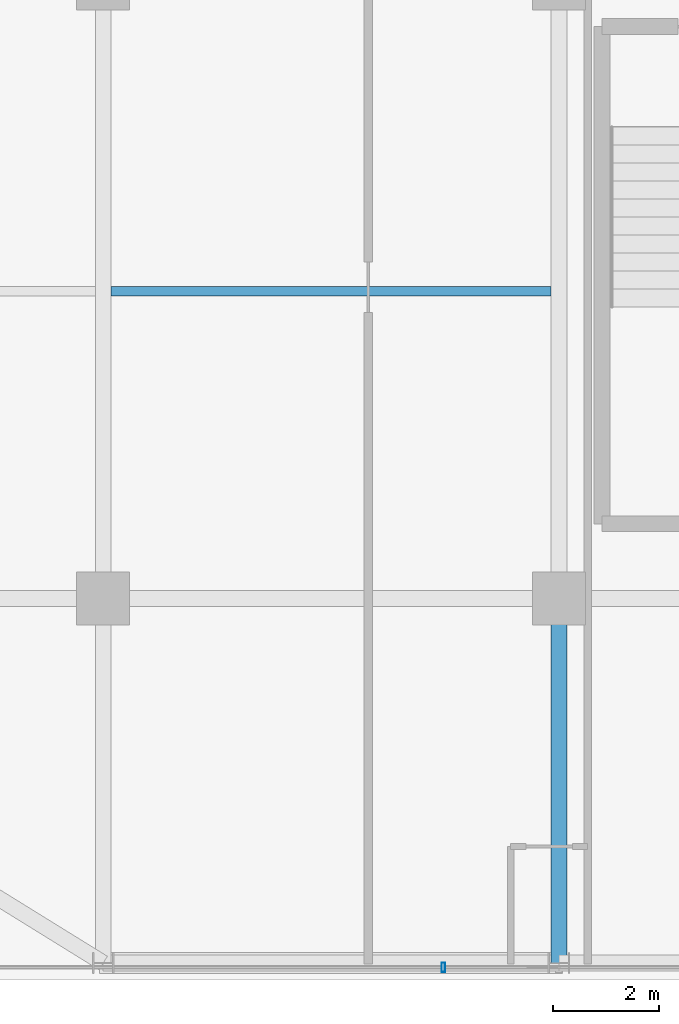
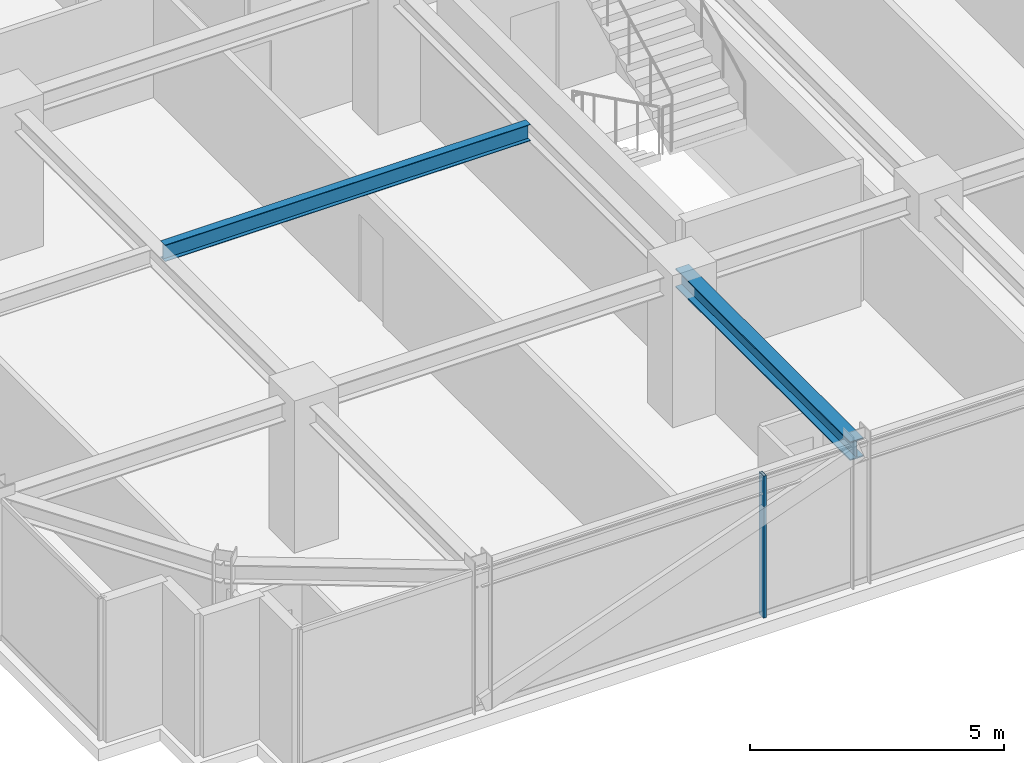
# One storey, part 7 of 36: 2 beams, 1 member, 1 element without a shape of its own.
"""IFC4 building model written with IfcOpenShell, lengths in metres."""

from ifc_helpers import new_model, si_unit, direction, frame, origin, origin_2d, place, context, subcontext, project, spatial, hollow_rectangle, i_section, extrude, source, transform, mapped, material, material_profile, profile_set, type_object, element, aggregate, save


model = new_model("IFC4")

# Units and contexts
model_context = context("Model", 3, precision=1e-05, world=origin(), true_north=direction((0.0, 1.0)))
body_context = subcontext(model_context, "Body", "Model", "MODEL_VIEW")
ifc_project = project(units=[si_unit("LENGTHUNIT", "METRE"), si_unit("AREAUNIT", "SQUARE_METRE"), si_unit("VOLUMEUNIT", "CUBIC_METRE"), si_unit("PLANEANGLEUNIT", "RADIAN"), si_unit("MASSUNIT", "GRAM", prefix="KILO")], contexts=[model_context])

# Site, building, storey
site_placement = place(None, origin())
site = spatial("IfcSite", under=ifc_project, at=site_placement, CompositionType="ELEMENT")
building_placement = place(site_placement, origin())
building = spatial("IfcBuilding", under=site, at=building_placement, Name="Nahalor Promenade Grand Hotel", CompositionType="ELEMENT")
storey_placement = place(building_placement, frame((0.0, 0.0, 241.89990234375)))
storey = spatial("IfcBuildingStorey", under=building, at=storey_placement, Name="L62", CompositionType="ELEMENT", Elevation=241.89990234375)

# Beams
ifc_material_1 = material(Name="Steel S355JR", Category="steel")
ifc_material_profile_1 = material_profile(ifc_material_1, i_section(OverallWidth=0.3, OverallDepth=0.45, WebThickness=0.014, FlangeThickness=0.026, at=origin_2d()), Name="HEB 450")
ifc_profile_set_1 = profile_set([ifc_material_profile_1], Name="Steel S355JR")
beam_type_1 = type_object("IfcBeamType", Name="Beam-Girder-HEB450", PredefinedType="BEAM", material=ifc_profile_set_1)
shared_shape_1 = source(origin(), body_context, "Body", "SweptSolid", [
    extrude(i_section(OverallWidth=0.3, OverallDepth=0.45, WebThickness=0.014, FlangeThickness=0.026, at=origin_2d()), origin(), (0.0, 0.0, 1.0), 6.8798828125),
])
beam_1_placement = place(storey_placement, frame((-8.39990234375, -23.8798828125, 3.18505859375), z_axis=(0.0, 1.0, 0.0), x_axis=(-1.0, 0.0, 0.0)))
element("IfcBeam", 1, at=beam_1_placement, inside=storey, type_object=beam_type_1, Name="BM-L62-GY-1-0", PredefinedType="BEAM", context=body_context, shape_type="MappedRepresentation", body=[
    mapped(shared_shape_1, transform((0.0, 0.0, 0.0), scale=1.0)),
])
ifc_material_profile_2 = material_profile(ifc_material_1, i_section(OverallWidth=0.18, OverallDepth=0.4, WebThickness=0.0086, FlangeThickness=0.0135, at=origin_2d()), Name="IPE 400")
ifc_profile_set_2 = profile_set([ifc_material_profile_2], Name="Steel S355JR")
beam_type_2 = type_object("IfcBeamType", Name="Beam-Joist-IPE400", PredefinedType="JOIST", material=ifc_profile_set_2)
shared_shape_2 = source(origin(), body_context, "Body", "SweptSolid", [
    extrude(i_section(OverallWidth=0.18, OverallDepth=0.4, WebThickness=0.0086, FlangeThickness=0.0135, at=origin_2d()), origin(), (0.0, 0.0, 1.0), 8.300048828125),
])
beam_2_placement = place(storey_placement, frame((-16.85009765625, -11.199951171875, 3.210205078125), z_axis=(1.0, 0.0, 0.0), x_axis=(0.0, 1.0, 0.0)))
element("IfcBeam", 2, at=beam_2_placement, inside=storey, type_object=beam_type_2, Name="BM-L62-JSW-0-1", PredefinedType="JOIST", context=body_context, shape_type="MappedRepresentation", body=[
    mapped(shared_shape_2, transform((0.0, 0.0, 0.0), scale=1.0)),
])

# Curtain wall, member
ifc_material_2 = material(Name="Anodised Bronze Aluminium EN AW-6063 T6", Category="aluminium")
curtain_wall_type = type_object("IfcCurtainWallType", Name="CW2 Typical Hotel Flush Bronze Unitised Curtain Wall", PredefinedType="USERDEFINED", material=ifc_material_2)
curtain_wall_placement = place(storey_placement, origin())
curtain_wall = element("IfcCurtainWall", 3, at=curtain_wall_placement, inside=storey, type_object=curtain_wall_type, Name="L62 Curtain Wall CW-L62-S-1", ObjectType="UNITISED_CURTAIN_WALL", PredefinedType="USERDEFINED")
ifc_material_profile_3 = material_profile(ifc_material_2, hollow_rectangle(XDim=0.065, YDim=0.18, WallThickness=0.004, at=origin_2d()), Name="CWM 65x180x4")
ifc_profile_set_3 = profile_set([ifc_material_profile_3], Name="Anodised Bronze Aluminium EN AW-6063 T6")
member_type = type_object("IfcMemberType", Name="CWM2 Typical Bronze Mullion 65x180", PredefinedType="MULLION", material=ifc_profile_set_3)
shared_shape_3 = source(origin(), body_context, "Body", "SweptSolid", [
    extrude(hollow_rectangle(XDim=0.065, YDim=0.18, WallThickness=0.004, at=origin_2d()), origin(), (0.0, 0.0, 1.0), 3.41015625),
])
member_placement = place(storey_placement, frame((-10.580078125, -23.9599609375, 0.0), z_axis=(0.0, 0.0, 1.0), x_axis=(1.0, 0.0, 0.0)))
member = element("IfcMember", 4, at=member_placement, type_object=member_type, Name="CW-L62-S-1 Mullion 1", PredefinedType="MULLION", context=body_context, shape_type="MappedRepresentation", body=[
    mapped(shared_shape_3, transform((0.0, 0.0, 0.0), scale=1.0)),
])
aggregate(curtain_wall, [member])

save(model, "model.ifc")
